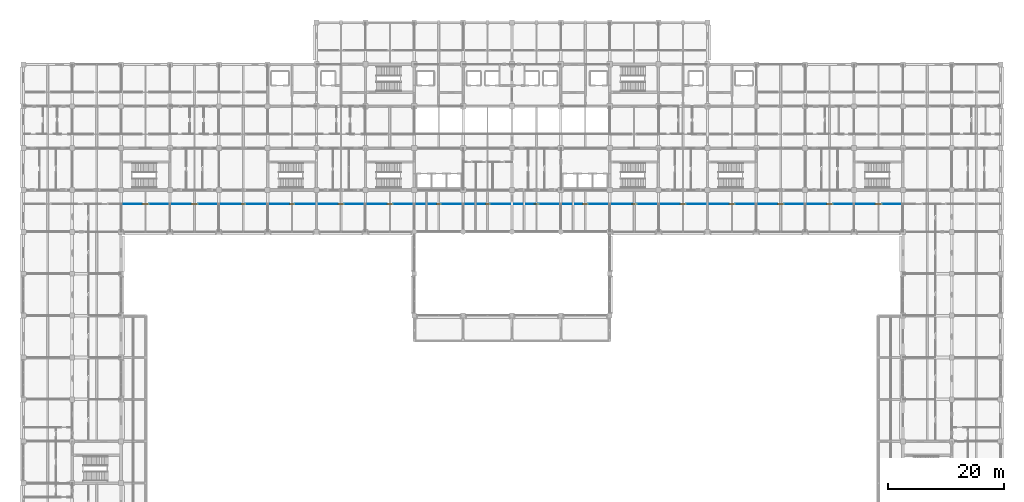
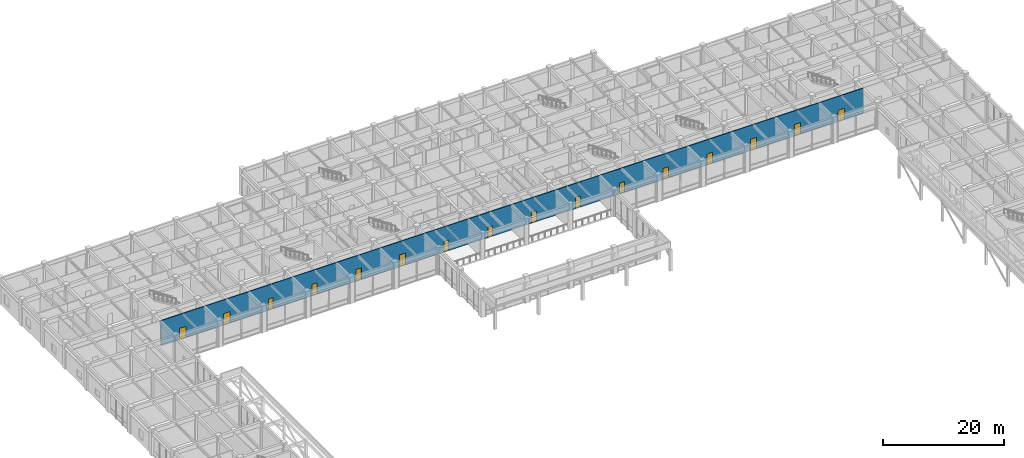
# One storey, part 47 of 68: 16 doors, 1 wall, 16 openings.
"""IFC4 building model written with IfcOpenShell, lengths in metres."""

from ifc_helpers import new_model, si_unit, direction, frame, frame_2d, origin, place, context, subcontext, project, spatial, rectangle, extrude, material, layer, layer_set, type_object, element, fill, save


model = new_model("IFC4")

# Units and contexts
model_context = context("Model", 3, precision=1e-05, world=origin(), true_north=direction((0.0, 1.0)))
body_context = subcontext(model_context, "Body", "Model", "MODEL_VIEW")
ifc_project = project(units=[si_unit("LENGTHUNIT", "METRE"), si_unit("AREAUNIT", "SQUARE_METRE"), si_unit("VOLUMEUNIT", "CUBIC_METRE"), si_unit("PLANEANGLEUNIT", "RADIAN"), si_unit("MASSUNIT", "GRAM", prefix="KILO")], contexts=[model_context])

# Site, building, storey
site_placement = place(None, origin())
site = spatial("IfcSite", under=ifc_project, at=site_placement, CompositionType="ELEMENT")
building_placement = place(site_placement, origin())
building = spatial("IfcBuilding", under=site, at=building_placement, Name="Chengyuan Square Courthouse", CompositionType="ELEMENT")
storey_placement = place(building_placement, frame((0.0, 0.0, 5.39990234375)))
storey = spatial("IfcBuildingStorey", under=building, at=storey_placement, Name="L02", CompositionType="ELEMENT", Elevation=5.39990234375)

# Wall, openings, doors
ifc_material_1 = material(Name="Deliberation Room Sound-Insulated Partition")
ifc_layer = layer(ifc_material_1, 0.14990234375)
ifc_layer_set = layer_set([ifc_layer], Name="Deliberation Room Sound-Insulated Partition")
wall_type = type_object("IfcWallType", Name="WL-PT3", PredefinedType="STANDARD", material=ifc_layer_set)
wall_placement = place(storey_placement, frame((16.800048828125, 84.0, 0.0), z_axis=(0.0, 0.0, 1.0), x_axis=(1.0, 0.0, 0.0)))
wall = element("IfcWall", 1, at=wall_placement, inside=storey, type_object=wall_type, Name="Interior Wall WL-L02-I1064", PredefinedType="STANDARD", context=body_context, shape_type="SweptSolid", body=[
    extrude(rectangle(XDim=134.39990234375, YDim=0.14990234375, at=frame_2d((67.199951171875, 0.0))), origin(), (0.0, 0.0, 1.0), 5.1201171875),
])
opening_1_placement = place(wall_placement, frame((3.580078125, 0.0, 0.0)))
opening_1 = element("IfcOpeningElement", 2, at=opening_1_placement, cuts=wall, Name="Opening DR-1232", PredefinedType="OPENING", context=body_context, shape_type="SweptSolid", body=[
    extrude(rectangle(XDim=1.239990234375, YDim=2.300048828125, at=frame_2d((0.6201171875, 1.14990234375))), frame((0.0, 0.0869140625, 0.0), z_axis=(0.0, -1.0, 0.0), x_axis=(1.0, 0.0, 0.0)), (0.0, 0.0, 1.0), 0.173828125),
])
opening_2_placement = place(wall_placement, frame((11.9599609375, 0.0, 0.0)))
opening_2 = element("IfcOpeningElement", 3, at=opening_2_placement, cuts=wall, Name="Opening DR-1233", PredefinedType="OPENING", context=body_context, shape_type="SweptSolid", body=[
    extrude(rectangle(XDim=1.280029296875, YDim=2.35009765625, at=frame_2d((0.64013671875, 1.175048828125))), frame((0.0, 0.0869140625, 0.0), z_axis=(0.0, -1.0, 0.0), x_axis=(1.0, 0.0, 0.0)), (0.0, 0.0, 1.0), 0.173828125),
])
opening_3_placement = place(wall_placement, frame((20.530029296875, 0.0, 0.0)))
opening_3 = element("IfcOpeningElement", 4, at=opening_3_placement, cuts=wall, Name="Opening DR-1234", PredefinedType="OPENING", context=body_context, shape_type="SweptSolid", body=[
    extrude(rectangle(XDim=0.93994140625, YDim=2.300048828125, at=frame_2d((0.469970703125, 1.14990234375))), frame((0.0, 0.0869140625, 0.0), z_axis=(0.0, -1.0, 0.0), x_axis=(1.0, 0.0, 0.0)), (0.0, 0.0, 1.0), 0.173828125),
])
opening_4_placement = place(wall_placement, frame((28.909912109375, 0.0, 0.0)))
opening_4 = element("IfcOpeningElement", 5, at=opening_4_placement, cuts=wall, Name="Opening DR-1235", PredefinedType="OPENING", context=body_context, shape_type="SweptSolid", body=[
    extrude(rectangle(XDim=0.97998046875, YDim=2.35009765625, at=frame_2d((0.489990234375, 1.175048828125))), frame((0.0, 0.0869140625, 0.0), z_axis=(0.0, -1.0, 0.0), x_axis=(1.0, 0.0, 0.0)), (0.0, 0.0, 1.0), 0.173828125),
])
opening_5_placement = place(wall_placement, frame((37.27001953125, 0.0, 0.0)))
opening_5 = element("IfcOpeningElement", 6, at=opening_5_placement, cuts=wall, Name="Opening DR-1237", PredefinedType="OPENING", context=body_context, shape_type="SweptSolid", body=[
    extrude(rectangle(XDim=1.06005859375, YDim=2.39990234375, at=frame_2d((0.530029296875, 1.199951171875))), frame((0.0, 0.0869140625, 0.0), z_axis=(0.0, -1.0, 0.0), x_axis=(1.0, 0.0, 0.0)), (0.0, 0.0, 1.0), 0.173828125),
])
opening_6_placement = place(wall_placement, frame((45.6298828125, 0.0, 0.0)))
opening_6 = element("IfcOpeningElement", 7, at=opening_6_placement, cuts=wall, Name="Opening DR-1238", PredefinedType="OPENING", context=body_context, shape_type="SweptSolid", body=[
    extrude(rectangle(XDim=1.139892578125, YDim=2.39990234375, at=frame_2d((0.56982421875, 1.199951171875))), frame((0.0, 0.0869140625, 0.0), z_axis=(0.0, -1.0, 0.0), x_axis=(1.0, 0.0, 0.0)), (0.0, 0.0, 1.0), 0.173828125),
])
opening_7_placement = place(wall_placement, frame((54.14990234375, 0.0, 0.0)))
opening_7 = element("IfcOpeningElement", 8, at=opening_7_placement, cuts=wall, Name="Opening DR-1239", PredefinedType="OPENING", context=body_context, shape_type="SweptSolid", body=[
    extrude(rectangle(XDim=0.89990234375, YDim=2.14990234375, at=frame_2d((0.449951171875, 1.074951171875))), frame((0.0, 0.0869140625, 0.0), z_axis=(0.0, -1.0, 0.0), x_axis=(1.0, 0.0, 0.0)), (0.0, 0.0, 1.0), 0.173828125),
])
opening_8_placement = place(wall_placement, frame((62.570068359375, 0.0, 0.0)))
opening_8 = element("IfcOpeningElement", 9, at=opening_8_placement, cuts=wall, Name="Opening DR-1240", PredefinedType="OPENING", context=body_context, shape_type="SweptSolid", body=[
    extrude(rectangle(XDim=0.860107421875, YDim=2.10009765625, at=frame_2d((0.43017578125, 1.050048828125))), frame((0.0, 0.0869140625, 0.0), z_axis=(0.0, -1.0, 0.0), x_axis=(1.0, 0.0, 0.0)), (0.0, 0.0, 1.0), 0.173828125),
])
opening_9_placement = place(wall_placement, frame((70.919921875, 0.0, 0.0)))
opening_9 = element("IfcOpeningElement", 10, at=opening_9_placement, cuts=wall, Name="Opening DR-1242", PredefinedType="OPENING", context=body_context, shape_type="SweptSolid", body=[
    extrude(rectangle(XDim=0.9599609375, YDim=2.199951171875, at=frame_2d((0.47998046875, 1.10009765625))), frame((0.0, 0.0869140625, 0.0), z_axis=(0.0, -1.0, 0.0), x_axis=(1.0, 0.0, 0.0)), (0.0, 0.0, 1.0), 0.173828125),
])
opening_10_placement = place(wall_placement, frame((79.300048828125, 0.0, 0.0)))
opening_10 = element("IfcOpeningElement", 11, at=opening_10_placement, cuts=wall, Name="Opening DR-1243", PredefinedType="OPENING", context=body_context, shape_type="SweptSolid", body=[
    extrude(rectangle(XDim=1.0, YDim=2.25, at=frame_2d((0.5, 1.125))), frame((0.0, 0.0869140625, 0.0), z_axis=(0.0, -1.0, 0.0), x_axis=(1.0, 0.0, 0.0)), (0.0, 0.0, 1.0), 0.173828125),
])
opening_11_placement = place(wall_placement, frame((87.679931640625, 0.0, 0.0)))
opening_11 = element("IfcOpeningElement", 12, at=opening_11_placement, cuts=wall, Name="Opening DR-1244", PredefinedType="OPENING", context=body_context, shape_type="SweptSolid", body=[
    extrude(rectangle(XDim=1.0400390625, YDim=2.199951171875, at=frame_2d((0.52001953125, 1.10009765625))), frame((0.0, 0.0869140625, 0.0), z_axis=(0.0, -1.0, 0.0), x_axis=(1.0, 0.0, 0.0)), (0.0, 0.0, 1.0), 0.173828125),
])
opening_12_placement = place(wall_placement, frame((96.06005859375, 0.0, 0.0)))
opening_12 = element("IfcOpeningElement", 13, at=opening_12_placement, cuts=wall, Name="Opening DR-1245", PredefinedType="OPENING", context=body_context, shape_type="SweptSolid", body=[
    extrude(rectangle(XDim=1.080078125, YDim=2.25, at=frame_2d((0.5400390625, 1.125))), frame((0.0, 0.0869140625, 0.0), z_axis=(0.0, -1.0, 0.0), x_axis=(1.0, 0.0, 0.0)), (0.0, 0.0, 1.0), 0.173828125),
])
opening_13_placement = place(wall_placement, frame((104.43994140625, 0.0, 0.0)))
opening_13 = element("IfcOpeningElement", 14, at=opening_13_placement, cuts=wall, Name="Opening DR-1246", PredefinedType="OPENING", context=body_context, shape_type="SweptSolid", body=[
    extrude(rectangle(XDim=1.1201171875, YDim=2.25, at=frame_2d((0.56005859375, 1.125))), frame((0.0, 0.0869140625, 0.0), z_axis=(0.0, -1.0, 0.0), x_axis=(1.0, 0.0, 0.0)), (0.0, 0.0, 1.0), 0.173828125),
])
opening_14_placement = place(wall_placement, frame((112.820068359375, 0.0, 0.0)))
opening_14 = element("IfcOpeningElement", 15, at=opening_14_placement, cuts=wall, Name="Opening DR-1247", PredefinedType="OPENING", context=body_context, shape_type="SweptSolid", body=[
    extrude(rectangle(XDim=1.159912109375, YDim=2.300048828125, at=frame_2d((0.580078125, 1.14990234375))), frame((0.0, 0.0869140625, 0.0), z_axis=(0.0, -1.0, 0.0), x_axis=(1.0, 0.0, 0.0)), (0.0, 0.0, 1.0), 0.173828125),
])
opening_15_placement = place(wall_placement, frame((121.199951171875, 0.0, 0.0)))
opening_15 = element("IfcOpeningElement", 16, at=opening_15_placement, cuts=wall, Name="Opening DR-1248", PredefinedType="OPENING", context=body_context, shape_type="SweptSolid", body=[
    extrude(rectangle(XDim=1.199951171875, YDim=2.35009765625, at=frame_2d((0.60009765625, 1.175048828125))), frame((0.0, 0.0869140625, 0.0), z_axis=(0.0, -1.0, 0.0), x_axis=(1.0, 0.0, 0.0)), (0.0, 0.0, 1.0), 0.173828125),
])
opening_16_placement = place(wall_placement, frame((129.580078125, 0.0, 0.0)))
opening_16 = element("IfcOpeningElement", 17, at=opening_16_placement, cuts=wall, Name="Opening DR-1249", PredefinedType="OPENING", context=body_context, shape_type="SweptSolid", body=[
    extrude(rectangle(XDim=1.239990234375, YDim=2.300048828125, at=frame_2d((0.6201171875, 1.14990234375))), frame((0.0, 0.0869140625, 0.0), z_axis=(0.0, -1.0, 0.0), x_axis=(1.0, 0.0, 0.0)), (0.0, 0.0, 1.0), 0.173828125),
])
ifc_material_2 = material(Name="Acoustic Solid-Core Timber Door", Category="wood")
door_type_1 = type_object("IfcDoorType", Name="DT-27", OperationType="NOTDEFINED", PredefinedType="DOOR", material=ifc_material_2)
door_1_placement = place(opening_7_placement, origin())
door_1 = element("IfcDoor", 18, at=door_1_placement, inside=storey, type_object=door_type_1, Name="Interior Door DR-1239", OperationType="SINGLE_SWING_RIGHT", OverallHeight=2.14990234375, OverallWidth=0.89990234375, PredefinedType="DOOR", context=body_context, shape_type="SweptSolid", body=[
    extrude(rectangle(XDim=0.89990234375, YDim=2.14990234375, at=frame_2d((0.449951171875, 1.074951171875))), frame((0.0, 0.02490234375, 0.0), z_axis=(0.0, -1.0, 0.0), x_axis=(1.0, 0.0, 0.0)), (0.0, 0.0, 1.0), 0.050048828125),
])
fill(opening_7, door_1)
door_type_2 = type_object("IfcDoorType", Name="DT-28", OperationType="NOTDEFINED", PredefinedType="DOOR", material=ifc_material_2)
door_2_placement = place(opening_8_placement, origin())
door_2 = element("IfcDoor", 19, at=door_2_placement, inside=storey, type_object=door_type_2, Name="Interior Door DR-1240", OperationType="SINGLE_SWING_LEFT", OverallHeight=2.10009765625, OverallWidth=0.860107421875, PredefinedType="DOOR", context=body_context, shape_type="SweptSolid", body=[
    extrude(rectangle(XDim=0.860107421875, YDim=2.10009765625, at=frame_2d((0.43017578125, 1.050048828125))), frame((0.0, 0.02490234375, 0.0), z_axis=(0.0, -1.0, 0.0), x_axis=(1.0, 0.0, 0.0)), (0.0, 0.0, 1.0), 0.050048828125),
])
fill(opening_8, door_2)
door_type_3 = type_object("IfcDoorType", Name="DT-30", OperationType="NOTDEFINED", PredefinedType="DOOR", material=ifc_material_2)
door_3_placement = place(opening_9_placement, origin())
door_3 = element("IfcDoor", 20, at=door_3_placement, inside=storey, type_object=door_type_3, Name="Interior Door DR-1242", OperationType="SINGLE_SWING_LEFT", OverallHeight=2.199951171875, OverallWidth=0.9599609375, PredefinedType="DOOR", context=body_context, shape_type="SweptSolid", body=[
    extrude(rectangle(XDim=0.9599609375, YDim=2.199951171875, at=frame_2d((0.47998046875, 1.10009765625))), frame((0.0, 0.02490234375, 0.0), z_axis=(0.0, -1.0, 0.0), x_axis=(1.0, 0.0, 0.0)), (0.0, 0.0, 1.0), 0.050048828125),
])
fill(opening_9, door_3)
door_type_4 = type_object("IfcDoorType", Name="DT-31", OperationType="NOTDEFINED", PredefinedType="DOOR", material=ifc_material_2)
door_4_placement = place(opening_10_placement, origin())
door_4 = element("IfcDoor", 21, at=door_4_placement, inside=storey, type_object=door_type_4, Name="Interior Door DR-1243", OperationType="SINGLE_SWING_RIGHT", OverallHeight=2.25, OverallWidth=1.0, PredefinedType="DOOR", context=body_context, shape_type="SweptSolid", body=[
    extrude(rectangle(XDim=1.0, YDim=2.25, at=frame_2d((0.5, 1.125))), frame((0.0, 0.02490234375, 0.0), z_axis=(0.0, -1.0, 0.0), x_axis=(1.0, 0.0, 0.0)), (0.0, 0.0, 1.0), 0.050048828125),
])
fill(opening_10, door_4)
door_type_5 = type_object("IfcDoorType", Name="DT-32", OperationType="NOTDEFINED", PredefinedType="DOOR", material=ifc_material_2)
door_5_placement = place(opening_11_placement, origin())
door_5 = element("IfcDoor", 22, at=door_5_placement, inside=storey, type_object=door_type_5, Name="Interior Door DR-1244", OperationType="SINGLE_SWING_LEFT", OverallHeight=2.199951171875, OverallWidth=1.0400390625, PredefinedType="DOOR", context=body_context, shape_type="SweptSolid", body=[
    extrude(rectangle(XDim=1.0400390625, YDim=2.199951171875, at=frame_2d((0.52001953125, 1.10009765625))), frame((0.0, 0.02490234375, 0.0), z_axis=(0.0, -1.0, 0.0), x_axis=(1.0, 0.0, 0.0)), (0.0, 0.0, 1.0), 0.050048828125),
])
fill(opening_11, door_5)
door_type_6 = type_object("IfcDoorType", Name="DT-33", OperationType="NOTDEFINED", PredefinedType="DOOR", material=ifc_material_2)
door_6_placement = place(opening_12_placement, origin())
door_6 = element("IfcDoor", 23, at=door_6_placement, inside=storey, type_object=door_type_6, Name="Interior Door DR-1245", OperationType="SINGLE_SWING_RIGHT", OverallHeight=2.25, OverallWidth=1.080078125, PredefinedType="DOOR", context=body_context, shape_type="SweptSolid", body=[
    extrude(rectangle(XDim=1.080078125, YDim=2.25, at=frame_2d((0.5400390625, 1.125))), frame((0.0, 0.02490234375, 0.0), z_axis=(0.0, -1.0, 0.0), x_axis=(1.0, 0.0, 0.0)), (0.0, 0.0, 1.0), 0.050048828125),
])
fill(opening_12, door_6)
door_type_7 = type_object("IfcDoorType", Name="DT-34", OperationType="NOTDEFINED", PredefinedType="DOOR", material=ifc_material_2)
door_7_placement = place(opening_13_placement, origin())
door_7 = element("IfcDoor", 24, at=door_7_placement, inside=storey, type_object=door_type_7, Name="Interior Door DR-1246", OperationType="SINGLE_SWING_LEFT", OverallHeight=2.25, OverallWidth=1.1201171875, PredefinedType="DOOR", context=body_context, shape_type="SweptSolid", body=[
    extrude(rectangle(XDim=1.1201171875, YDim=2.25, at=frame_2d((0.56005859375, 1.125))), frame((0.0, 0.02490234375, 0.0), z_axis=(0.0, -1.0, 0.0), x_axis=(1.0, 0.0, 0.0)), (0.0, 0.0, 1.0), 0.050048828125),
])
fill(opening_13, door_7)
door_type_8 = type_object("IfcDoorType", Name="DT-35", OperationType="NOTDEFINED", PredefinedType="DOOR", material=ifc_material_2)
door_8_placement = place(opening_14_placement, origin())
door_8 = element("IfcDoor", 25, at=door_8_placement, inside=storey, type_object=door_type_8, Name="Interior Door DR-1247", OperationType="SINGLE_SWING_RIGHT", OverallHeight=2.300048828125, OverallWidth=1.159912109375, PredefinedType="DOOR", context=body_context, shape_type="SweptSolid", body=[
    extrude(rectangle(XDim=1.159912109375, YDim=2.300048828125, at=frame_2d((0.580078125, 1.14990234375))), frame((0.0, 0.02490234375, 0.0), z_axis=(0.0, -1.0, 0.0), x_axis=(1.0, 0.0, 0.0)), (0.0, 0.0, 1.0), 0.050048828125),
])
fill(opening_14, door_8)
door_type_9 = type_object("IfcDoorType", Name="DT-36", OperationType="NOTDEFINED", PredefinedType="DOOR", material=ifc_material_2)
door_9_placement = place(opening_15_placement, origin())
door_9 = element("IfcDoor", 26, at=door_9_placement, inside=storey, type_object=door_type_9, Name="Interior Door DR-1248", OperationType="SINGLE_SWING_LEFT", OverallHeight=2.35009765625, OverallWidth=1.199951171875, PredefinedType="DOOR", context=body_context, shape_type="SweptSolid", body=[
    extrude(rectangle(XDim=1.199951171875, YDim=2.35009765625, at=frame_2d((0.60009765625, 1.175048828125))), frame((0.0, 0.02490234375, 0.0), z_axis=(0.0, -1.0, 0.0), x_axis=(1.0, 0.0, 0.0)), (0.0, 0.0, 1.0), 0.050048828125),
])
fill(opening_15, door_9)
door_type_10 = type_object("IfcDoorType", Name="DT-37", OperationType="NOTDEFINED", PredefinedType="DOOR", material=ifc_material_2)
door_10_placement = place(opening_1_placement, origin())
door_10 = element("IfcDoor", 27, at=door_10_placement, inside=storey, type_object=door_type_10, Name="Interior Door DR-1232", OperationType="SINGLE_SWING_LEFT", OverallHeight=2.300048828125, OverallWidth=1.239990234375, PredefinedType="DOOR", context=body_context, shape_type="SweptSolid", body=[
    extrude(rectangle(XDim=1.239990234375, YDim=2.300048828125, at=frame_2d((0.6201171875, 1.14990234375))), frame((0.0, 0.02490234375, 0.0), z_axis=(0.0, -1.0, 0.0), x_axis=(1.0, 0.0, 0.0)), (0.0, 0.0, 1.0), 0.050048828125),
])
fill(opening_1, door_10)
door_11_placement = place(opening_16_placement, origin())
door_11 = element("IfcDoor", 28, at=door_11_placement, inside=storey, type_object=door_type_10, Name="Interior Door DR-1249", OperationType="SINGLE_SWING_RIGHT", OverallHeight=2.300048828125, OverallWidth=1.239990234375, PredefinedType="DOOR", context=body_context, shape_type="SweptSolid", body=[
    extrude(rectangle(XDim=1.239990234375, YDim=2.300048828125, at=frame_2d((0.6201171875, 1.14990234375))), frame((0.0, 0.02490234375, 0.0), z_axis=(0.0, -1.0, 0.0), x_axis=(1.0, 0.0, 0.0)), (0.0, 0.0, 1.0), 0.050048828125),
])
fill(opening_16, door_11)
door_type_11 = type_object("IfcDoorType", Name="DT-38", OperationType="NOTDEFINED", PredefinedType="DOOR", material=ifc_material_2)
door_12_placement = place(opening_2_placement, origin())
door_12 = element("IfcDoor", 29, at=door_12_placement, inside=storey, type_object=door_type_11, Name="Interior Door DR-1233", OperationType="SINGLE_SWING_RIGHT", OverallHeight=2.35009765625, OverallWidth=1.280029296875, PredefinedType="DOOR", context=body_context, shape_type="SweptSolid", body=[
    extrude(rectangle(XDim=1.280029296875, YDim=2.35009765625, at=frame_2d((0.64013671875, 1.175048828125))), frame((0.0, 0.02490234375, 0.0), z_axis=(0.0, -1.0, 0.0), x_axis=(1.0, 0.0, 0.0)), (0.0, 0.0, 1.0), 0.050048828125),
])
fill(opening_2, door_12)
door_type_12 = type_object("IfcDoorType", Name="DT-39", OperationType="NOTDEFINED", PredefinedType="DOOR", material=ifc_material_2)
door_13_placement = place(opening_3_placement, origin())
door_13 = element("IfcDoor", 30, at=door_13_placement, inside=storey, type_object=door_type_12, Name="Interior Door DR-1234", OperationType="SINGLE_SWING_LEFT", OverallHeight=2.300048828125, OverallWidth=0.93994140625, PredefinedType="DOOR", context=body_context, shape_type="SweptSolid", body=[
    extrude(rectangle(XDim=0.93994140625, YDim=2.300048828125, at=frame_2d((0.469970703125, 1.14990234375))), frame((0.0, 0.02490234375, 0.0), z_axis=(0.0, -1.0, 0.0), x_axis=(1.0, 0.0, 0.0)), (0.0, 0.0, 1.0), 0.050048828125),
])
fill(opening_3, door_13)
door_type_13 = type_object("IfcDoorType", Name="DT-40", OperationType="NOTDEFINED", PredefinedType="DOOR", material=ifc_material_2)
door_14_placement = place(opening_4_placement, origin())
door_14 = element("IfcDoor", 31, at=door_14_placement, inside=storey, type_object=door_type_13, Name="Interior Door DR-1235", OperationType="SINGLE_SWING_RIGHT", OverallHeight=2.35009765625, OverallWidth=0.97998046875, PredefinedType="DOOR", context=body_context, shape_type="SweptSolid", body=[
    extrude(rectangle(XDim=0.97998046875, YDim=2.35009765625, at=frame_2d((0.489990234375, 1.175048828125))), frame((0.0, 0.02490234375, 0.0), z_axis=(0.0, -1.0, 0.0), x_axis=(1.0, 0.0, 0.0)), (0.0, 0.0, 1.0), 0.050048828125),
])
fill(opening_4, door_14)
door_type_14 = type_object("IfcDoorType", Name="DT-42", OperationType="NOTDEFINED", PredefinedType="DOOR", material=ifc_material_2)
door_15_placement = place(opening_5_placement, origin())
door_15 = element("IfcDoor", 32, at=door_15_placement, inside=storey, type_object=door_type_14, Name="Interior Door DR-1237", OperationType="SINGLE_SWING_RIGHT", OverallHeight=2.39990234375, OverallWidth=1.06005859375, PredefinedType="DOOR", context=body_context, shape_type="SweptSolid", body=[
    extrude(rectangle(XDim=1.06005859375, YDim=2.39990234375, at=frame_2d((0.530029296875, 1.199951171875))), frame((0.0, 0.02490234375, 0.0), z_axis=(0.0, -1.0, 0.0), x_axis=(1.0, 0.0, 0.0)), (0.0, 0.0, 1.0), 0.050048828125),
])
fill(opening_5, door_15)
door_type_15 = type_object("IfcDoorType", Name="DT-43", OperationType="NOTDEFINED", PredefinedType="DOOR", material=ifc_material_2)
door_16_placement = place(opening_6_placement, origin())
door_16 = element("IfcDoor", 33, at=door_16_placement, inside=storey, type_object=door_type_15, Name="Interior Door DR-1238", OperationType="SINGLE_SWING_LEFT", OverallHeight=2.39990234375, OverallWidth=1.139892578125, PredefinedType="DOOR", context=body_context, shape_type="SweptSolid", body=[
    extrude(rectangle(XDim=1.139892578125, YDim=2.39990234375, at=frame_2d((0.56982421875, 1.199951171875))), frame((0.0, 0.02490234375, 0.0), z_axis=(0.0, -1.0, 0.0), x_axis=(1.0, 0.0, 0.0)), (0.0, 0.0, 1.0), 0.050048828125),
])
fill(opening_6, door_16)

save(model, "model.ifc")
